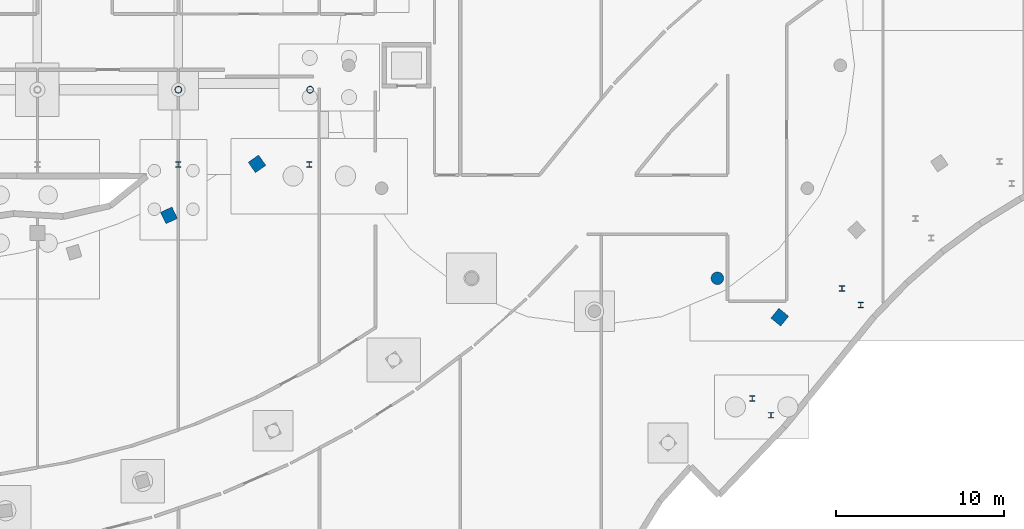
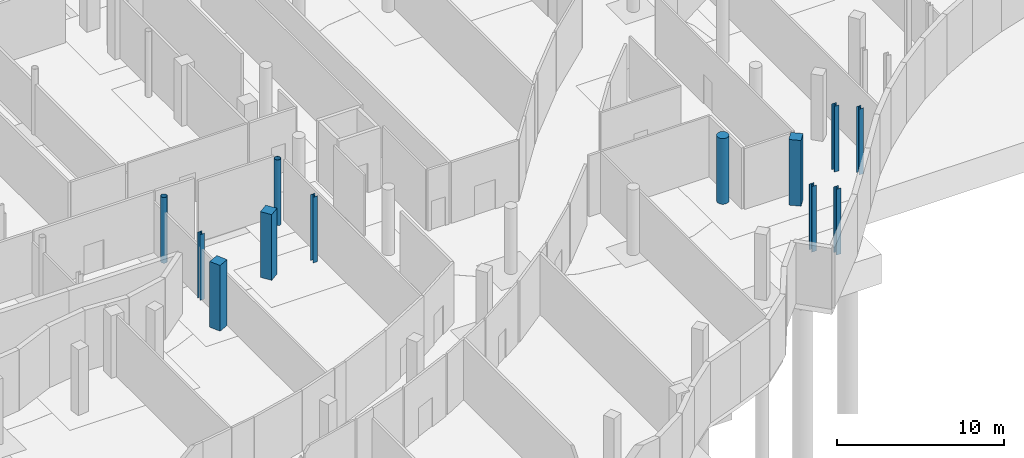
# One storey, part 14 of 45: 12 columns.
"""IFC4 building model written with IfcOpenShell, lengths in metres."""

from ifc_helpers import new_model, si_unit, direction, frame, origin, origin_2d, place, context, subcontext, project, spatial, rectangle, circle, hollow_circle, i_section, extrude, material, material_profile, profile_set, type_object, element, save


model = new_model("IFC4")

# Units and contexts
model_context = context("Model", 3, precision=1e-05, world=origin(), true_north=direction((0.0, 1.0)))
body_context = subcontext(model_context, "Body", "Model", "MODEL_VIEW")
ifc_project = project(units=[si_unit("LENGTHUNIT", "METRE"), si_unit("AREAUNIT", "SQUARE_METRE"), si_unit("VOLUMEUNIT", "CUBIC_METRE"), si_unit("PLANEANGLEUNIT", "RADIAN"), si_unit("MASSUNIT", "GRAM", prefix="KILO")], contexts=[model_context])

# Site, building, storey
site_placement = place(None, origin())
site = spatial("IfcSite", under=ifc_project, at=site_placement, CompositionType="ELEMENT")
building_placement = place(site_placement, origin())
building = spatial("IfcBuilding", under=site, at=building_placement, Name="Selatvlak General Hospital", CompositionType="ELEMENT")
storey_placement = place(building_placement, frame((0.0, 0.0, -4.800048828125)))
storey = spatial("IfcBuildingStorey", under=building, at=storey_placement, Name="B1", CompositionType="ELEMENT", Elevation=-4.800048828125)

# Columns
ifc_material_1 = material(Name="Steel S355", Category="steel")
ifc_material_profile_1 = material_profile(ifc_material_1, hollow_circle(Radius=0.203125, WallThickness=0.01611328125, at=origin_2d()), Name="CHS 406.4x16")
ifc_profile_set_1 = profile_set([ifc_material_profile_1], Name="Steel S355")
column_type_1 = type_object("IfcColumnType", Name="COL-CHS406", PredefinedType="COLUMN", material=ifc_profile_set_1)
for number, where, z_axis, x_axis, name in (
    (1, (73.199951171875, 52.550048828125, 0.0), (0.0, 0.0, 1.0), (1.0, 0.0, 0.0), "Column 019 on B1"),
    (2, (81.050048828125, 52.550048828125, 0.0), (0.0, 0.0, 1.0), (1.0, 0.0, 0.0), "Column 022 on B1"),
):
    element("IfcColumn", number, at=place(storey_placement, frame(where, z_axis=z_axis, x_axis=x_axis)), inside=storey, type_object=column_type_1, Name=name, PredefinedType="COLUMN", context=body_context, shape_type="SweptSolid", body=[
        extrude(hollow_circle(Radius=0.203125, WallThickness=0.01611328125, at=origin_2d()), origin(), (0.0, 0.0, 1.0), 4.800048828125),
    ])
ifc_material_2 = material(Name="Concrete C50/60", Category="concrete")
ifc_material_profile_2 = material_profile(ifc_material_2, rectangle(XDim=0.75, YDim=0.75, at=origin_2d()), Name="RC-COL 750x750")
ifc_profile_set_2 = profile_set([ifc_material_profile_2], Name="Concrete C50/60")
column_type_2 = type_object("IfcColumnType", Name="COL-RC75", PredefinedType="COLUMN", material=ifc_profile_set_2)
for number, where, z_axis, x_axis, name in (
    (3, (72.639892578125, 45.06005859375, 0.0), (0.0, 0.0, 1.0), (-0.435199672053, 0.900333963285, 0.0), "Column 331 on B1"),
    (4, (77.886962890625, 48.131103515625, 0.0), (0.0, 0.0, 1.0), (-0.572188815713, 0.820121917262, 0.0), "Column 334 on B1"),
    (5, (109.04296875, 38.992919921875, 0.0), (0.0, 0.0, 1.0), (-0.774922426247, 0.632056352945, 0.0), "Column 338 on B1"),
):
    element("IfcColumn", number, at=place(storey_placement, frame(where, z_axis=z_axis, x_axis=x_axis)), inside=storey, type_object=column_type_2, Name=name, PredefinedType="COLUMN", context=body_context, shape_type="SweptSolid", body=[
        extrude(rectangle(XDim=0.75, YDim=0.75, at=origin_2d()), origin(), (0.0, 0.0, 1.0), 4.800048828125),
    ])
ifc_material_profile_3 = material_profile(ifc_material_2, circle(Radius=0.375, at=origin_2d()), Name="RC-COL D750")
ifc_profile_set_3 = profile_set([ifc_material_profile_3], Name="Concrete C50/60")
column_type_3 = type_object("IfcColumnType", Name="COL-RCD75", PredefinedType="COLUMN", material=ifc_profile_set_3)
column_placement = place(storey_placement, frame((105.324951171875, 41.31298828125, 0.0), z_axis=(0.0, 0.0, 1.0), x_axis=(0.5, -0.866025403784, 0.0)))
element("IfcColumn", 6, at=column_placement, inside=storey, type_object=column_type_3, Name="Column 035 on B1", PredefinedType="COLUMN", context=body_context, shape_type="SweptSolid", body=[
    extrude(circle(Radius=0.375, at=origin_2d()), origin(), (0.0, 0.0, 1.0), 4.800048828125),
])
ifc_material_profile_4 = material_profile(ifc_material_1, i_section(OverallWidth=0.30908203125, OverallDepth=0.320556640625, WebThickness=0.013916015625, FlangeThickness=0.021728515625, at=origin_2d()), Name="UC 305x305x137")
ifc_profile_set_4 = profile_set([ifc_material_profile_4], Name="Steel S355")
column_type_4 = type_object("IfcColumnType", Name="COL-UC305", PredefinedType="COLUMN", material=ifc_profile_set_4)
for number, where, z_axis, x_axis, name in (
    (7, (73.199951171875, 48.10009765625, 0.0), (0.0, 0.0, 1.0), (1.0, 0.0, 0.0), "Column 120 on B1"),
    (8, (81.0, 48.10009765625, 0.0), (0.0, 0.0, 1.0), (1.0, 0.0, 0.0), "Column 121 on B1"),
    (9, (107.39892578125, 34.14306640625, 0.0), (0.0, 0.0, 1.0), (1.0, 0.0, 0.0), "Column 127 on B1"),
    (10, (108.52392578125, 33.15087890625, 0.0), (0.0, 0.0, 1.0), (1.0, 0.0, 0.0), "Column 128 on B1"),
    (11, (112.75390625, 40.7109375, 0.0), (0.0, 0.0, 1.0), (1.0, 0.0, 0.0), "Column 129 on B1"),
    (12, (113.875, 39.715087890625, 0.0), (0.0, 0.0, 1.0), (1.0, 0.0, 0.0), "Column 130 on B1"),
):
    element("IfcColumn", number, at=place(storey_placement, frame(where, z_axis=z_axis, x_axis=x_axis)), inside=storey, type_object=column_type_4, Name=name, PredefinedType="COLUMN", context=body_context, shape_type="SweptSolid", body=[
        extrude(i_section(OverallWidth=0.30908203125, OverallDepth=0.320556640625, WebThickness=0.013916015625, FlangeThickness=0.021728515625, at=origin_2d()), origin(), (0.0, 0.0, 1.0), 4.800048828125),
    ])

save(model, "model.ifc")
